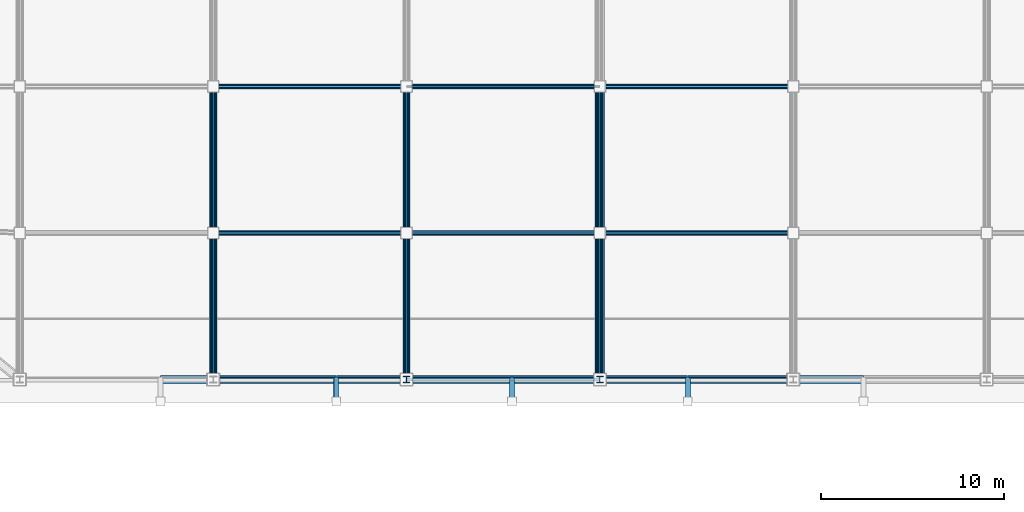
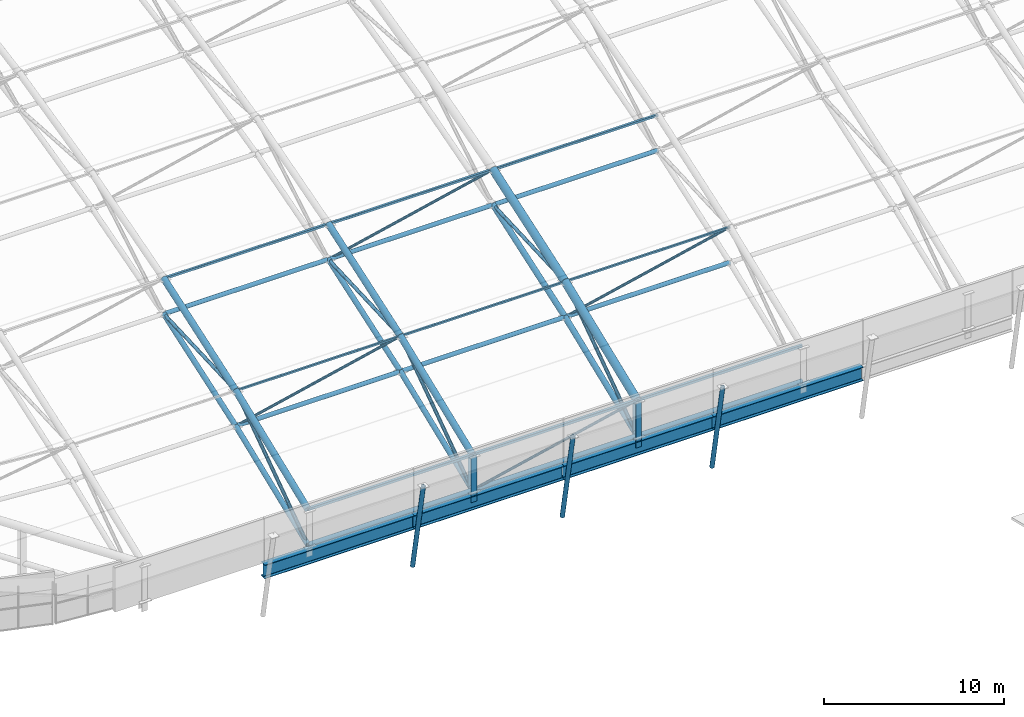
# One storey, part 3 of 42: 45 members, 4 beams.
"""IFC4 building model written with IfcOpenShell, lengths in metres."""

import ifcopenshell
import ifcopenshell.guid

model = None  # the IFC model being written
_history = None  # IfcOwnerHistory: only IFC2X3 demands one
_inside = {}  # id of a spatial element -> (the spatial element, [elements in it])
_under = {}  # id of a project, library or spatial element -> (it, [spatial elements below it])
_declared = {}  # id of a project -> (the project, [libraries it declares])
_typed = {}  # id of a type object -> (the type object, [elements of that type])
_made_of = {}  # id of a material, layer set ... -> (it, [elements and type objects made of it])


def new_model(schema):
    """Start an empty IFC model of exactly this schema.

    Asked for "IFC4X3", IfcOpenShell would pick the latest addendum, in which some entities
    have other attributes; the version numbers below select the first issue.
    IFC2X3 requires an IfcOwnerHistory on every rooted entity: one is made here for all.
    """
    global model, _history
    if schema == "IFC4X3":
        model = ifcopenshell.file(schema_version=(4, 3, 0, 0))
    else:
        model = ifcopenshell.file(schema=schema)
    _inside.clear()
    _under.clear()
    _declared.clear()
    _typed.clear()
    _made_of.clear()
    _history = None
    if model.schema == "IFC2X3":
        org = make("IfcOrganization", Name="unknown")
        user = make(
            "IfcPersonAndOrganization",
            ThePerson=make("IfcPerson", FamilyName="unknown"),
            TheOrganization=org,
        )
        app = make(
            "IfcApplication",
            ApplicationDeveloper=org,
            Version="unknown",
            ApplicationFullName="unknown",
            ApplicationIdentifier="unknown",
        )
        _history = make(
            "IfcOwnerHistory",
            OwningUser=user,
            OwningApplication=app,
            ChangeAction="ADDED",
            CreationDate=0,
        )
    return model


def make(cls, **values):
    """One entity of the class cls with the attributes given. An attribute that is None is left unset."""
    return model.create_entity(
        cls, **{name: value for name, value in values.items() if value is not None}
    )


def rooted(cls, **values):
    """An entity with a GlobalId (a new one), such as an element, a storey or a relation."""
    return make(cls, GlobalId=ifcopenshell.guid.new(), OwnerHistory=_history, **values)


def si_unit(unit_type, name, prefix=None):
    """IfcSIUnit, for example si_unit("LENGTHUNIT", "METRE", prefix="MILLI")."""
    return make("IfcSIUnit", UnitType=unit_type, Prefix=prefix, Name=name)


def assignment(units):
    """IfcUnitAssignment: the units of a project."""
    return None if units is None else make("IfcUnitAssignment", Units=units)


def point(xyz):
    """IfcCartesianPoint."""
    return None if xyz is None else make("IfcCartesianPoint", Coordinates=xyz)


def direction(xyz):
    """IfcDirection."""
    return None if xyz is None else make("IfcDirection", DirectionRatios=xyz)


def frame(location, z_axis=None, x_axis=None):
    """IfcAxis2Placement3D, a coordinate frame: its origin and axes. An axis left out is left unset."""
    return make(
        "IfcAxis2Placement3D",
        Location=point(location),
        Axis=direction(z_axis),
        RefDirection=direction(x_axis),
    )


def frame_2d(location, x_axis=None):
    """IfcAxis2Placement2D, a coordinate frame in the plane: its origin and x axis."""
    return make(
        "IfcAxis2Placement2D", Location=point(location), RefDirection=direction(x_axis)
    )


def origin():
    """The frame at (0, 0, 0) with its axes left unset."""
    return frame((0.0, 0.0, 0.0))


def origin_2d():
    """The frame at (0, 0) in the plane with its x axis left unset."""
    return frame_2d((0.0, 0.0))


def place(relative_to, where):
    """IfcLocalPlacement: puts the frame where relative to a parent placement (None: the world)."""
    return make(
        "IfcLocalPlacement", PlacementRelTo=relative_to, RelativePlacement=where
    )


def context(
    kind, dimensions, precision=None, world=None, true_north=None, identifier=None
):
    """IfcGeometricRepresentationContext, for example the 3D "Model" context."""
    return make(
        "IfcGeometricRepresentationContext",
        ContextIdentifier=identifier,
        ContextType=kind,
        CoordinateSpaceDimension=dimensions,
        Precision=precision,
        WorldCoordinateSystem=world,
        TrueNorth=true_north,
    )


def subcontext(parent, identifier, kind, view, scale=None):
    """IfcGeometricRepresentationSubContext, for example "Body" below "Model"."""
    return make(
        "IfcGeometricRepresentationSubContext",
        ContextIdentifier=identifier,
        ContextType=kind,
        ParentContext=parent,
        TargetScale=scale,
        TargetView=view,
    )


def project(units=None, contexts=None):
    """IfcProject with its units and contexts."""
    return rooted(
        "IfcProject",
        Name="project",
        RepresentationContexts=contexts,
        UnitsInContext=assignment(units),
    )


def spatial(cls, under=None, at=None, **own):
    """A site, building, storey or space (cls), placed at a placement, below another one or the project."""
    s = rooted(cls, ObjectPlacement=at, **own)
    if under is not None:
        _under.setdefault(under.id(), (under, []))[1].append(s)
    return s


def profile(cls, at=None, kind="AREA", **sizes):
    """A parametric profile (cls). Its sizes go by their IFC names, for example OverallWidth=200.0."""
    return make(cls, ProfileType=kind, Position=at, **sizes)


def hollow_rectangle(**sizes):
    """IfcRectangleHollowProfileDef."""
    return profile("IfcRectangleHollowProfileDef", **sizes)


def hollow_circle(**sizes):
    """IfcCircleHollowProfileDef."""
    return profile("IfcCircleHollowProfileDef", **sizes)


def i_section(**sizes):
    """IfcIShapeProfileDef."""
    return profile("IfcIShapeProfileDef", **sizes)


def extrude(swept, where, along, depth):
    """IfcExtrudedAreaSolid: the profile swept, set in the frame where, extruded along a direction by depth."""
    return make(
        "IfcExtrudedAreaSolid",
        SweptArea=swept,
        Position=where,
        ExtrudedDirection=direction(along),
        Depth=depth,
    )


def shape(context_of_items, identifier, shape_type, items):
    """IfcShapeRepresentation: the items that make up one representation, for example the "Body"."""
    return make(
        "IfcShapeRepresentation",
        ContextOfItems=context_of_items,
        RepresentationIdentifier=identifier,
        RepresentationType=shape_type,
        Items=items,
    )


def material(Name=None, Category=None):
    """IfcMaterial."""
    return make("IfcMaterial", Name=Name, Category=Category)


def material_profile(
    of_material, cross_section, Name=None, Category=None, Priority=None
):
    """IfcMaterialProfile: a cross section and its material."""
    return make(
        "IfcMaterialProfile",
        Name=Name,
        Material=of_material,
        Profile=cross_section,
        Priority=Priority,
        Category=Category,
    )


def profile_set(profiles, Name=None, composite=None):
    """IfcMaterialProfileSet."""
    return make(
        "IfcMaterialProfileSet",
        Name=Name,
        MaterialProfiles=profiles,
        CompositeProfile=composite,
    )


def made_of(thing, what):
    """Note that an element or type object is made of a material, layer set ...; save() writes the relation."""
    if what is not None:
        _made_of.setdefault(what.id(), (what, []))[1].append(thing)
    return thing


def type_object(cls, material=None, **own):
    """A type object (cls), such as IfcWallType, which elements share."""
    return made_of(rooted(cls, **own), material)


def element(
    cls,
    number,
    at=None,
    inside=None,
    cuts=None,
    type_object=None,
    material=None,
    context=None,
    identifier="Body",
    shape_type=None,
    held_by="IfcProductDefinitionShape",
    body=None,
    shapes=None,
    **own,
):
    """One element of the class cls, such as IfcWall. Its Tag is "e" and its number.

    at: its placement. inside: the storey or other place that contains it. cuts: it is an
    opening in that element (IfcRelVoidsElement). A single representation is given by context,
    identifier, shape_type and body (its items); several are given by shapes. held_by: the class
    of the entity that holds the representations. save() writes the other relations.
    """
    e = rooted(cls, Tag="e%d" % number, ObjectPlacement=at, **own)
    if body is not None:
        shapes = [shape(context, identifier, shape_type, body)]
    if shapes is not None:
        e.Representation = make(held_by, Representations=shapes)
    if inside is not None:
        _inside.setdefault(inside.id(), (inside, []))[1].append(e)
    if cuts is not None:
        rooted(
            "IfcRelVoidsElement", RelatingBuildingElement=cuts, RelatedOpeningElement=e
        )
    if type_object is not None:
        _typed.setdefault(type_object.id(), (type_object, []))[1].append(e)
    return made_of(e, material)


def aggregate(whole, parts):
    """IfcRelAggregates: a whole, such as a stair, and the parts it consists of."""
    return rooted("IfcRelAggregates", RelatingObject=whole, RelatedObjects=parts)


def save(model, path):
    """Write the relations noted so far, then the file.

    IfcRelAggregates (storeys below a building ...), IfcRelContainedInSpatialStructure (elements
    in a storey), IfcRelDefinesByType, IfcRelAssociatesMaterial and IfcRelDeclares: one each for
    every whole, place, type object, material and project.
    """
    for whole, parts in _under.values():
        aggregate(whole, parts)
    for where, things in _inside.values():
        rooted(
            "IfcRelContainedInSpatialStructure",
            RelatedElements=things,
            RelatingStructure=where,
        )
    for kind, things in _typed.values():
        rooted("IfcRelDefinesByType", RelatedObjects=things, RelatingType=kind)
    for what, things in _made_of.values():
        rooted("IfcRelAssociatesMaterial", RelatedObjects=things, RelatingMaterial=what)
    for by, libraries in _declared.values():
        rooted("IfcRelDeclares", RelatingContext=by, RelatedDefinitions=libraries)
    model.write(path)


model = new_model("IFC4")

# Units and contexts
model_context = context("Model", 3, precision=1e-05, world=origin(), true_north=direction((0.0, 1.0)))
body_context = subcontext(model_context, "Body", "Model", "MODEL_VIEW")
ifc_project = project(units=[si_unit("LENGTHUNIT", "METRE"), si_unit("AREAUNIT", "SQUARE_METRE"), si_unit("VOLUMEUNIT", "CUBIC_METRE"), si_unit("PLANEANGLEUNIT", "RADIAN"), si_unit("MASSUNIT", "GRAM", prefix="KILO")], contexts=[model_context])

# Site, building, storey
site_placement = place(None, origin())
site = spatial("IfcSite", under=ifc_project, at=site_placement, CompositionType="ELEMENT")
building_placement = place(site_placement, origin())
building = spatial("IfcBuilding", under=site, at=building_placement, Name="Caelomonte Colonnade Arena", CompositionType="ELEMENT")
storey_placement = place(building_placement, frame((0.0, 0.0, 28.199951171875)))
storey = spatial("IfcBuildingStorey", under=building, at=storey_placement, Name="RF", CompositionType="ELEMENT", Elevation=28.199951171875)

# Beams
ifc_material_1 = material(Name="Wide-flange steel ASTM A992 Grade 50", Category="steel")
ifc_material_profile_1 = material_profile(ifc_material_1, i_section(OverallWidth=0.418212890625, OverallDepth=0.927001953125, WebThickness=0.019287109375, FlangeThickness=0.031982421875, FilletRadius=0.024169921875, at=origin_2d()), Name="W36X231")
ifc_profile_set_1 = profile_set([ifc_material_profile_1], Name="Wide-flange steel ASTM A992 Grade 50")
beam_type = type_object("IfcBeamType", Name="STR-BM-EAVES1", PredefinedType="SPANDREL", material=ifc_profile_set_1)
for number, where, z_axis, x_axis, name in (
    (1, (86.408203125, 19.199951171875, -0.743408203125), (1.0, 0.0, 0.0), (0.0, 1.0, 0.0), "RF girder BMX-RF-0864-0192"),
    (2, (96.00830078125, 19.199951171875, -0.743408203125), (1.0, 0.0, 0.0), (0.0, 1.0, 0.0), "RF girder BMX-RF-0960-0192"),
    (3, (105.608154296875, 19.199951171875, -0.743408203125), (1.0, 0.0, 0.0), (0.0, 1.0, 0.0), "RF girder BMX-RF-1056-0192"),
    (4, (115.208251953125, 19.199951171875, -0.743408203125), (1.0, 0.0, 0.0), (0.0, 1.0, 0.0), "RF girder BMX-RF-1152-0192"),
):
    element("IfcBeam", number, at=place(storey_placement, frame(where, z_axis=z_axis, x_axis=x_axis)), inside=storey, type_object=beam_type, Name=name, PredefinedType="SPANDREL", context=body_context, shape_type="SweptSolid", body=[
        extrude(i_section(OverallWidth=0.418212890625, OverallDepth=0.927001953125, WebThickness=0.019287109375, FlangeThickness=0.031982421875, FilletRadius=0.024169921875, at=origin_2d()), origin(), (0.0, 0.0, 1.0), 9.58349609375),
    ])

# Members
ifc_material_profile_2 = material_profile(ifc_material_1, i_section(OverallWidth=0.368896484375, OverallDepth=0.356201171875, WebThickness=0.01123046875, FlangeThickness=0.01806640625, FilletRadius=0.01513671875, at=origin_2d()), Name="W14X90")
ifc_profile_set_2 = profile_set([ifc_material_profile_2], Name="Wide-flange steel ASTM A992 Grade 50")
member_type_1 = type_object("IfcMemberType", Name="STR-CAT-STR", PredefinedType="STRUT", material=ifc_profile_set_2)
for number, where, z_axis, x_axis, name in (
    (5, (99.840087890625, 19.199951171875, -0.699951171875), (0.0, 0.0, 1.0), (1.0, 0.0, 0.0), "Roof truss eaves bearing post 4-0"),
    (6, (110.39990234375, 19.199951171875, -0.699951171875), (0.0, 0.0, 1.0), (1.0, 0.0, 0.0), "Roof truss eaves bearing post 5-0"),
):
    element("IfcMember", number, at=place(storey_placement, frame(where, z_axis=z_axis, x_axis=x_axis)), inside=storey, type_object=member_type_1, Name=name, PredefinedType="STRUT", context=body_context, shape_type="SweptSolid", body=[
        extrude(i_section(OverallWidth=0.368896484375, OverallDepth=0.356201171875, WebThickness=0.01123046875, FlangeThickness=0.01806640625, FilletRadius=0.01513671875, at=origin_2d()), origin(), (0.0, 0.0, 1.0), 3.10009765625),
    ])
ifc_material_2 = material(Name="Steel ASTM A500 Grade C", Category="steel")
ifc_material_profile_3 = material_profile(ifc_material_2, hollow_circle(Radius=0.177734375, WallThickness=0.0126953125, at=origin_2d()), Name="CHS355.6X12.7")
ifc_profile_set_3 = profile_set([ifc_material_profile_3], Name="Steel ASTM A500 Grade C")
member_type_2 = type_object("IfcMemberType", Name="STR-SF-BC1", PredefinedType="CHORD", material=ifc_profile_set_3)
member_1_placement = place(storey_placement, frame((110.39990234375, 19.201904296875, 0.000732421875), z_axis=(0.0, 0.929070225575, 0.36990338732), x_axis=(-1.0, 0.0, 0.0)))
element("IfcMember", 7, at=member_1_placement, inside=storey, type_object=member_type_2, Name="Arched roof truss bottom chord 5-0", PredefinedType="CHORD", context=body_context, shape_type="SweptSolid", body=[
    extrude(hollow_circle(Radius=0.177734375, WallThickness=0.0126953125, at=origin_2d()), origin(), (0.0, 0.0, 1.0), 8.6064453125),
])
member_2_placement = place(storey_placement, frame((110.39990234375, 27.201904296875, 3.185791015625), z_axis=(0.0, 0.945655527912, 0.325170143971), x_axis=(-1.0, 0.0, 0.0)))
element("IfcMember", 8, at=member_2_placement, inside=storey, type_object=member_type_2, Name="Arched roof truss bottom chord 5-1", PredefinedType="CHORD", context=body_context, shape_type="SweptSolid", body=[
    extrude(hollow_circle(Radius=0.177734375, WallThickness=0.0126953125, at=origin_2d()), origin(), (0.0, 0.0, 1.0), 8.45556640625),
])
ifc_material_profile_4 = material_profile(ifc_material_2, hollow_circle(Radius=0.161865234375, WallThickness=0.010009765625, at=origin_2d()), Name="CHS323.9X10.0")
ifc_profile_set_4 = profile_set([ifc_material_profile_4], Name="Steel ASTM A500 Grade C")
member_type_3 = type_object("IfcMemberType", Name="STR-SF-BC2", PredefinedType="CHORD", material=ifc_profile_set_4)
member_3_placement = place(storey_placement, frame((89.280029296875, 19.201904296875, 0.000732421875), z_axis=(0.0, 0.929070225575, 0.36990338732), x_axis=(-1.0, 0.0, 0.0)))
element("IfcMember", 9, at=member_3_placement, inside=storey, type_object=member_type_3, Name="Arched roof truss bottom chord 3-0", PredefinedType="CHORD", context=body_context, shape_type="SweptSolid", body=[
    extrude(hollow_circle(Radius=0.161865234375, WallThickness=0.010009765625, at=origin_2d()), origin(), (0.0, 0.0, 1.0), 8.6064453125),
])
member_4_placement = place(storey_placement, frame((89.280029296875, 27.201904296875, 3.185791015625), z_axis=(0.0, 0.945655527912, 0.325170143971), x_axis=(-1.0, 0.0, 0.0)))
element("IfcMember", 10, at=member_4_placement, inside=storey, type_object=member_type_3, Name="Arched roof truss bottom chord 3-1", PredefinedType="CHORD", context=body_context, shape_type="SweptSolid", body=[
    extrude(hollow_circle(Radius=0.161865234375, WallThickness=0.010009765625, at=origin_2d()), origin(), (0.0, 0.0, 1.0), 8.45556640625),
])
member_5_placement = place(storey_placement, frame((99.840087890625, 19.201904296875, 0.000732421875), z_axis=(0.0, 0.929070225575, 0.36990338732), x_axis=(-1.0, 0.0, 0.0)))
element("IfcMember", 11, at=member_5_placement, inside=storey, type_object=member_type_3, Name="Arched roof truss bottom chord 4-0", PredefinedType="CHORD", context=body_context, shape_type="SweptSolid", body=[
    extrude(hollow_circle(Radius=0.161865234375, WallThickness=0.010009765625, at=origin_2d()), origin(), (0.0, 0.0, 1.0), 8.6064453125),
])
member_6_placement = place(storey_placement, frame((99.840087890625, 27.201904296875, 3.185791015625), z_axis=(0.0, 0.945655527912, 0.325170143971), x_axis=(-1.0, 0.0, 0.0)))
element("IfcMember", 12, at=member_6_placement, inside=storey, type_object=member_type_3, Name="Arched roof truss bottom chord 4-1", PredefinedType="CHORD", context=body_context, shape_type="SweptSolid", body=[
    extrude(hollow_circle(Radius=0.161865234375, WallThickness=0.010009765625, at=origin_2d()), origin(), (0.0, 0.0, 1.0), 8.45556640625),
])
ifc_material_profile_5 = material_profile(ifc_material_2, hollow_rectangle(XDim=0.177734375, YDim=0.177734375, WallThickness=0.008056640625, InnerFilletRadius=0.008056640625, OuterFilletRadius=0.01611328125, at=origin_2d()), Name="HSS178X178X8.0")
ifc_profile_set_5 = profile_set([ifc_material_profile_5], Name="Steel ASTM A500 Grade C")
member_type_4 = type_object("IfcMemberType", Name="STR-SF-PUR1", PredefinedType="PURLIN", material=ifc_profile_set_5)
for number, where, z_axis, x_axis, name in (
    (13, (89.281982421875, 19.199951171875, 2.400146484375), (1.0, 0.0, 0.0), (0.0, 1.0, 0.0), "Arched roof purlin 3-0"),
    (14, (99.842041015625, 19.199951171875, 2.400146484375), (1.0, 0.0, 0.0), (0.0, 1.0, 0.0), "Arched roof purlin 4-0"),
    (15, (110.402099609375, 19.199951171875, 2.400146484375), (1.0, 0.0, 0.0), (0.0, 1.0, 0.0), "Arched roof purlin 5-0"),
):
    element("IfcMember", number, at=place(storey_placement, frame(where, z_axis=z_axis, x_axis=x_axis)), inside=storey, type_object=member_type_4, Name=name, PredefinedType="PURLIN", context=body_context, shape_type="SweptSolid", body=[
        extrude(hollow_rectangle(XDim=0.177734375, YDim=0.177734375, WallThickness=0.008056640625, InnerFilletRadius=0.008056640625, OuterFilletRadius=0.01611328125, at=origin_2d()), origin(), (0.0, 0.0, 1.0), 10.555908203125),
    ])
ifc_material_profile_6 = material_profile(ifc_material_2, hollow_rectangle(XDim=0.15234375, YDim=0.15234375, WallThickness=0.008056640625, InnerFilletRadius=0.008056640625, OuterFilletRadius=0.01611328125, at=origin_2d()), Name="HSS152X152X8.0")
ifc_profile_set_6 = profile_set([ifc_material_profile_6], Name="Steel ASTM A500 Grade C")
member_type_5 = type_object("IfcMemberType", Name="STR-SF-PUR2", PredefinedType="PURLIN", material=ifc_profile_set_6)
for number, where, z_axis, x_axis, name in (
    (16, (89.281982421875, 35.199951171875, 8.3359375), (1.0, 0.0, 0.0), (0.0, 1.0, 0.0), "Arched roof purlin 3-2"),
    (17, (99.842041015625, 35.199951171875, 8.3359375), (1.0, 0.0, 0.0), (0.0, 1.0, 0.0), "Arched roof purlin 4-2"),
    (18, (110.402099609375, 35.199951171875, 8.3359375), (1.0, 0.0, 0.0), (0.0, 1.0, 0.0), "Arched roof purlin 5-2"),
):
    element("IfcMember", number, at=place(storey_placement, frame(where, z_axis=z_axis, x_axis=x_axis)), inside=storey, type_object=member_type_5, Name=name, PredefinedType="PURLIN", context=body_context, shape_type="SweptSolid", body=[
        extrude(hollow_rectangle(XDim=0.15234375, YDim=0.15234375, WallThickness=0.008056640625, InnerFilletRadius=0.008056640625, OuterFilletRadius=0.01611328125, at=origin_2d()), origin(), (0.0, 0.0, 1.0), 10.555908203125),
    ])
ifc_material_profile_7 = material_profile(ifc_material_2, hollow_rectangle(XDim=0.126953125, YDim=0.126953125, WallThickness=0.00634765625, InnerFilletRadius=0.00634765625, OuterFilletRadius=0.0126953125, at=origin_2d()), Name="HSS127X127X6.4")
ifc_profile_set_7 = profile_set([ifc_material_profile_7], Name="Steel ASTM A500 Grade C")
member_type_6 = type_object("IfcMemberType", Name="STR-SF-PUR3", PredefinedType="PURLIN", material=ifc_profile_set_7)
for number, where, z_axis, x_axis, name in (
    (19, (89.281982421875, 27.199951171875, 5.5849609375), (1.0, 0.0, 0.0), (0.0, 1.0, 0.0), "Arched roof purlin 3-1"),
    (20, (99.842041015625, 27.199951171875, 5.5849609375), (1.0, 0.0, 0.0), (0.0, 1.0, 0.0), "Arched roof purlin 4-1"),
    (21, (110.402099609375, 27.199951171875, 5.5849609375), (1.0, 0.0, 0.0), (0.0, 1.0, 0.0), "Arched roof purlin 5-1"),
):
    element("IfcMember", number, at=place(storey_placement, frame(where, z_axis=z_axis, x_axis=x_axis)), inside=storey, type_object=member_type_6, Name=name, PredefinedType="PURLIN", context=body_context, shape_type="SweptSolid", body=[
        extrude(hollow_rectangle(XDim=0.126953125, YDim=0.126953125, WallThickness=0.00634765625, InnerFilletRadius=0.00634765625, OuterFilletRadius=0.0126953125, at=origin_2d()), origin(), (0.0, 0.0, 1.0), 10.555908203125),
    ])
ifc_material_profile_8 = material_profile(ifc_material_2, hollow_circle(Radius=0.25390625, WallThickness=0.015869140625, at=origin_2d()), Name="CHS508X15.9")
ifc_profile_set_8 = profile_set([ifc_material_profile_8], Name="Steel ASTM A500 Grade C")
member_type_7 = type_object("IfcMemberType", Name="STR-SF-TC1", PredefinedType="CHORD", material=ifc_profile_set_8)
member_7_placement = place(storey_placement, frame((110.39990234375, 19.201904296875, 2.400634765625), z_axis=(0.0, 0.929070225575, 0.36990338732), x_axis=(-1.0, 0.0, 0.0)))
element("IfcMember", 22, at=member_7_placement, inside=storey, type_object=member_type_7, Name="Arched roof truss top chord 5-0", PredefinedType="CHORD", context=body_context, shape_type="SweptSolid", body=[
    extrude(hollow_circle(Radius=0.25390625, WallThickness=0.015869140625, at=origin_2d()), origin(), (0.0, 0.0, 1.0), 8.6064453125),
])
member_8_placement = place(storey_placement, frame((110.39990234375, 27.201904296875, 5.585693359375), z_axis=(0.0, 0.945646649159, 0.325195963895), x_axis=(-1.0, 0.0, 0.0)))
element("IfcMember", 23, at=member_8_placement, inside=storey, type_object=member_type_7, Name="Arched roof truss top chord 5-1", PredefinedType="CHORD", context=body_context, shape_type="SweptSolid", body=[
    extrude(hollow_circle(Radius=0.25390625, WallThickness=0.015869140625, at=origin_2d()), origin(), (0.0, 0.0, 1.0), 8.455810546875),
])
ifc_material_profile_9 = material_profile(ifc_material_2, hollow_circle(Radius=0.203125, WallThickness=0.0126953125, at=origin_2d()), Name="CHS406.4X12.7")
ifc_profile_set_9 = profile_set([ifc_material_profile_9], Name="Steel ASTM A500 Grade C")
member_type_8 = type_object("IfcMemberType", Name="STR-SF-TC2", PredefinedType="CHORD", material=ifc_profile_set_9)
member_9_placement = place(storey_placement, frame((89.280029296875, 19.201904296875, 2.400634765625), z_axis=(0.0, 0.929070225575, 0.36990338732), x_axis=(-1.0, 0.0, 0.0)))
element("IfcMember", 24, at=member_9_placement, inside=storey, type_object=member_type_8, Name="Arched roof truss top chord 3-0", PredefinedType="CHORD", context=body_context, shape_type="SweptSolid", body=[
    extrude(hollow_circle(Radius=0.203125, WallThickness=0.0126953125, at=origin_2d()), origin(), (0.0, 0.0, 1.0), 8.6064453125),
])
member_10_placement = place(storey_placement, frame((89.280029296875, 27.201904296875, 5.585693359375), z_axis=(0.0, 0.945646649159, 0.325195963895), x_axis=(-1.0, 0.0, 0.0)))
element("IfcMember", 25, at=member_10_placement, inside=storey, type_object=member_type_8, Name="Arched roof truss top chord 3-1", PredefinedType="CHORD", context=body_context, shape_type="SweptSolid", body=[
    extrude(hollow_circle(Radius=0.203125, WallThickness=0.0126953125, at=origin_2d()), origin(), (0.0, 0.0, 1.0), 8.455810546875),
])
member_11_placement = place(storey_placement, frame((99.840087890625, 19.201904296875, 2.400634765625), z_axis=(0.0, 0.929070225575, 0.36990338732), x_axis=(-1.0, 0.0, 0.0)))
element("IfcMember", 26, at=member_11_placement, inside=storey, type_object=member_type_8, Name="Arched roof truss top chord 4-0", PredefinedType="CHORD", context=body_context, shape_type="SweptSolid", body=[
    extrude(hollow_circle(Radius=0.203125, WallThickness=0.0126953125, at=origin_2d()), origin(), (0.0, 0.0, 1.0), 8.6064453125),
])
member_12_placement = place(storey_placement, frame((99.840087890625, 27.201904296875, 5.585693359375), z_axis=(0.0, 0.945646649159, 0.325195963895), x_axis=(-1.0, 0.0, 0.0)))
element("IfcMember", 27, at=member_12_placement, inside=storey, type_object=member_type_8, Name="Arched roof truss top chord 4-1", PredefinedType="CHORD", context=body_context, shape_type="SweptSolid", body=[
    extrude(hollow_circle(Radius=0.203125, WallThickness=0.0126953125, at=origin_2d()), origin(), (0.0, 0.0, 1.0), 8.455810546875),
])
ifc_material_profile_10 = material_profile(ifc_material_2, hollow_circle(Radius=0.136474609375, WallThickness=0.00927734375, at=origin_2d()), Name="CHS273.0X9.3")
ifc_profile_set_10 = profile_set([ifc_material_profile_10], Name="Steel ASTM A500 Grade C")
member_type_9 = type_object("IfcMemberType", Name="STR-SF-TIE", PredefinedType="STRUT", material=ifc_profile_set_10)
for number, where, z_axis, x_axis, name in (
    (28, (89.281982421875, 19.199951171875, 0.0), (1.0, 0.0, 0.0), (0.0, 1.0, 0.0), "Space frame roof tie strut 3-0"),
    (29, (89.281982421875, 27.199951171875, 3.18505859375), (1.0, 0.0, 0.0), (0.0, 1.0, 0.0), "Space frame roof tie strut 3-1"),
    (30, (89.281982421875, 35.199951171875, 5.93603515625), (1.0, 0.0, 0.0), (0.0, 1.0, 0.0), "Space frame roof tie strut 3-2"),
    (31, (99.842041015625, 19.199951171875, 0.0), (1.0, 0.0, 0.0), (0.0, 1.0, 0.0), "Space frame roof tie strut 4-0"),
    (32, (99.842041015625, 27.199951171875, 3.18505859375), (1.0, 0.0, 0.0), (0.0, 1.0, 0.0), "Space frame roof tie strut 4-1"),
    (33, (99.842041015625, 35.199951171875, 5.93603515625), (1.0, 0.0, 0.0), (0.0, 1.0, 0.0), "Space frame roof tie strut 4-2"),
    (34, (110.402099609375, 19.199951171875, 0.0), (1.0, 0.0, 0.0), (0.0, 1.0, 0.0), "Space frame roof tie strut 5-0"),
    (35, (110.402099609375, 27.199951171875, 3.18505859375), (1.0, 0.0, 0.0), (0.0, 1.0, 0.0), "Space frame roof tie strut 5-1"),
    (36, (110.402099609375, 35.199951171875, 5.93603515625), (1.0, 0.0, 0.0), (0.0, 1.0, 0.0), "Space frame roof tie strut 5-2"),
):
    element("IfcMember", number, at=place(storey_placement, frame(where, z_axis=z_axis, x_axis=x_axis)), inside=storey, type_object=member_type_9, Name=name, PredefinedType="STRUT", context=body_context, shape_type="SweptSolid", body=[
        extrude(hollow_circle(Radius=0.136474609375, WallThickness=0.00927734375, at=origin_2d()), origin(), (0.0, 0.0, 1.0), 10.555908203125),
    ])
for number, where, z_axis, x_axis, name in (
    (37, (96.0, 19.19970703125, -3.7978515625), (0.0, -0.19151035942, 0.981490592026), (1.0, 0.0, 0.0), "Roof eaves overhang inclined strut 13"),
    (38, (105.60009765625, 19.19970703125, -3.7978515625), (0.0, -0.19151035942, 0.981490592026), (1.0, 0.0, 0.0), "Roof eaves overhang inclined strut 15"),
    (39, (115.199951171875, 19.19970703125, -3.7978515625), (0.0, -0.19151035942, 0.981490592026), (1.0, 0.0, 0.0), "Roof eaves overhang inclined strut 17"),
):
    element("IfcMember", number, at=place(storey_placement, frame(where, z_axis=z_axis, x_axis=x_axis)), inside=storey, type_object=member_type_9, Name=name, PredefinedType="STRUT", context=body_context, shape_type="SweptSolid", body=[
        extrude(hollow_circle(Radius=0.136474609375, WallThickness=0.00927734375, at=origin_2d()), origin(), (0.0, 0.0, 1.0), 6.261962890625),
    ])
ifc_material_profile_11 = material_profile(ifc_material_2, hollow_circle(Radius=0.109619140625, WallThickness=0.00830078125, at=origin_2d()), Name="CHS219.1X8.2")
ifc_profile_set_11 = profile_set([ifc_material_profile_11], Name="Steel ASTM A500 Grade C")
member_type_10 = type_object("IfcMemberType", Name="STR-SF-WEB1", PredefinedType="BRACE", material=ifc_profile_set_11)
member_13_placement = place(storey_placement, frame((89.280029296875, 19.20166015625, 0.001220703125), z_axis=(0.0, 0.819954536619, 0.572428648722), x_axis=(-1.0, 0.0, 0.0)))
element("IfcMember", 40, at=member_13_placement, inside=storey, type_object=member_type_10, Name="Space frame roof truss web diagonal 3-0", PredefinedType="BRACE", context=body_context, shape_type="SweptSolid", body=[
    extrude(hollow_circle(Radius=0.109619140625, WallThickness=0.00830078125, at=origin_2d()), origin(), (0.0, 0.0, 1.0), 9.752685546875),
])
member_14_placement = place(storey_placement, frame((89.280029296875, 27.201904296875, 5.585205078125), z_axis=(0.0, 0.999038871579, 0.043833013509), x_axis=(-1.0, 0.0, 0.0)))
element("IfcMember", 41, at=member_14_placement, inside=storey, type_object=member_type_10, Name="Space frame roof truss web diagonal 3-1", PredefinedType="BRACE", context=body_context, shape_type="SweptSolid", body=[
    extrude(hollow_circle(Radius=0.109619140625, WallThickness=0.00830078125, at=origin_2d()), origin(), (0.0, 0.0, 1.0), 8.00390625),
])
member_15_placement = place(storey_placement, frame((99.840087890625, 19.20166015625, 0.001220703125), z_axis=(0.0, 0.819954536619, 0.572428648722), x_axis=(-1.0, 0.0, 0.0)))
element("IfcMember", 42, at=member_15_placement, inside=storey, type_object=member_type_10, Name="Space frame roof truss web diagonal 4-0", PredefinedType="BRACE", context=body_context, shape_type="SweptSolid", body=[
    extrude(hollow_circle(Radius=0.109619140625, WallThickness=0.00830078125, at=origin_2d()), origin(), (0.0, 0.0, 1.0), 9.752685546875),
])
member_16_placement = place(storey_placement, frame((99.840087890625, 27.201904296875, 5.585205078125), z_axis=(0.0, 0.999038871579, 0.043833013509), x_axis=(-1.0, 0.0, 0.0)))
element("IfcMember", 43, at=member_16_placement, inside=storey, type_object=member_type_10, Name="Space frame roof truss web diagonal 4-1", PredefinedType="BRACE", context=body_context, shape_type="SweptSolid", body=[
    extrude(hollow_circle(Radius=0.109619140625, WallThickness=0.00830078125, at=origin_2d()), origin(), (0.0, 0.0, 1.0), 8.00390625),
])
member_17_placement = place(storey_placement, frame((110.39990234375, 19.20166015625, 0.001220703125), z_axis=(0.0, 0.819954536619, 0.572428648722), x_axis=(-1.0, 0.0, 0.0)))
element("IfcMember", 44, at=member_17_placement, inside=storey, type_object=member_type_10, Name="Space frame roof truss web diagonal 5-0", PredefinedType="BRACE", context=body_context, shape_type="SweptSolid", body=[
    extrude(hollow_circle(Radius=0.109619140625, WallThickness=0.00830078125, at=origin_2d()), origin(), (0.0, 0.0, 1.0), 9.752685546875),
])
member_18_placement = place(storey_placement, frame((110.39990234375, 27.201904296875, 5.585205078125), z_axis=(0.0, 0.999038871579, 0.043833013509), x_axis=(-1.0, 0.0, 0.0)))
element("IfcMember", 45, at=member_18_placement, inside=storey, type_object=member_type_10, Name="Space frame roof truss web diagonal 5-1", PredefinedType="BRACE", context=body_context, shape_type="SweptSolid", body=[
    extrude(hollow_circle(Radius=0.109619140625, WallThickness=0.00830078125, at=origin_2d()), origin(), (0.0, 0.0, 1.0), 8.00390625),
])
ifc_material_profile_12 = material_profile(ifc_material_2, hollow_circle(Radius=0.084228515625, WallThickness=0.007080078125, at=origin_2d()), Name="CHS168.3X7.1")
ifc_profile_set_12 = profile_set([ifc_material_profile_12], Name="Steel ASTM A500 Grade C")
member_type_11 = type_object("IfcMemberType", Name="STR-SF-WEB2", PredefinedType="BRACE", material=ifc_profile_set_12)
for number, where, z_axis, x_axis, name in (
    (46, (89.281982421875, 27.199951171875, 3.185546875), (0.975130861858, 0.0, 0.221629876714), (0.0, 1.0, 0.0), "Space frame transverse diagonal 3-1"),
    (47, (99.842041015625, 19.199951171875, 0.00048828125), (0.975130861858, 0.0, 0.221629876714), (0.0, 1.0, 0.0), "Space frame transverse diagonal 4-0"),
    (48, (99.842041015625, 35.199951171875, 5.9365234375), (0.975130861858, 0.0, 0.221629876714), (0.0, 1.0, 0.0), "Space frame transverse diagonal 4-2"),
    (49, (110.402099609375, 27.199951171875, 3.185546875), (0.975130861858, 0.0, 0.221629876714), (0.0, 1.0, 0.0), "Space frame transverse diagonal 5-1"),
):
    element("IfcMember", number, at=place(storey_placement, frame(where, z_axis=z_axis, x_axis=x_axis)), inside=storey, type_object=member_type_11, Name=name, PredefinedType="BRACE", context=body_context, shape_type="SweptSolid", body=[
        extrude(hollow_circle(Radius=0.084228515625, WallThickness=0.007080078125, at=origin_2d()), origin(), (0.0, 0.0, 1.0), 10.8251953125),
    ])

save(model, "model.ifc")
